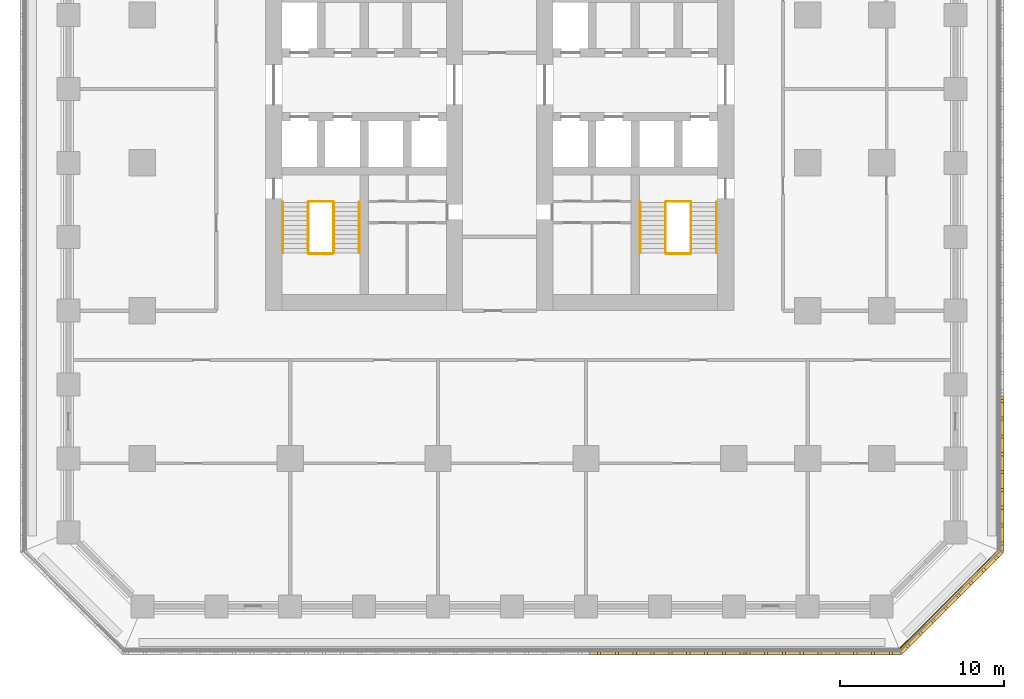
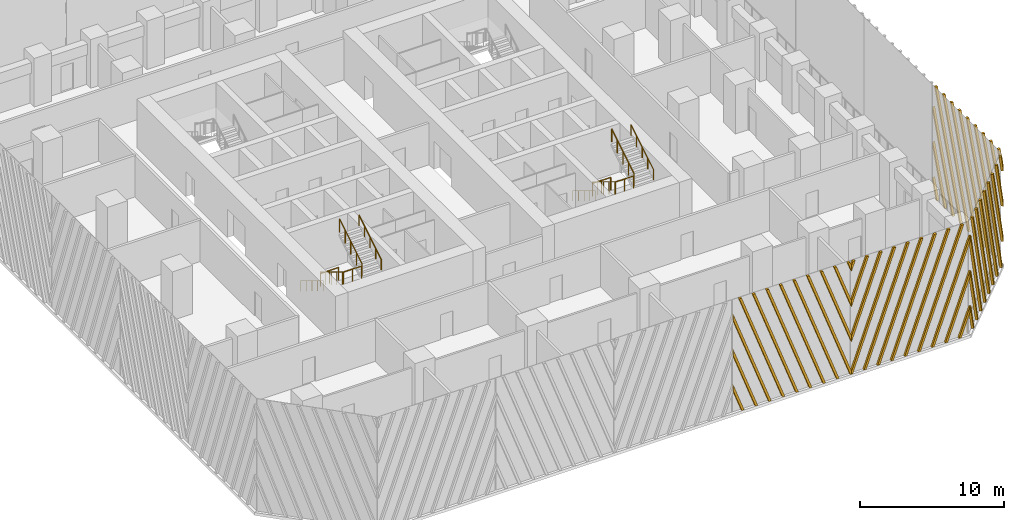
# One storey, part 9 of 13: 13 railings, 4 shading devices.
"""IFC4 building model written with IfcOpenShell, lengths in metres."""

from ifc_helpers import new_model, si_unit, direction, frame, origin, origin_2d, place, context, subcontext, project, spatial, polyline, circle, outline, extrude, source, transform, mapped, material, type_object, element, save


model = new_model("IFC4")

# Units and contexts
model_context = context("Model", 3, precision=1e-05, world=origin(), true_north=direction((0.0, 1.0)))
body_context = subcontext(model_context, "Body", "Model", "MODEL_VIEW")
ifc_project = project(units=[si_unit("LENGTHUNIT", "METRE"), si_unit("AREAUNIT", "SQUARE_METRE"), si_unit("VOLUMEUNIT", "CUBIC_METRE"), si_unit("PLANEANGLEUNIT", "RADIAN"), si_unit("MASSUNIT", "GRAM", prefix="KILO")], contexts=[model_context])

# Site, building, storey
site_placement = place(None, origin())
site = spatial("IfcSite", under=ifc_project, at=site_placement, CompositionType="ELEMENT")
building_placement = place(site_placement, origin())
building = spatial("IfcBuilding", under=site, at=building_placement, Name="Corbel Stack Research Tower", CompositionType="ELEMENT")
storey_placement = place(building_placement, frame((0.0, 0.0, 66.5)))
storey = spatial("IfcBuildingStorey", under=building, at=storey_placement, Name="L15", CompositionType="ELEMENT", Elevation=66.5)

# Railings
ifc_material_1 = material(Name="Steel S355", Category="steel")
railing_type_1 = type_object("IfcRailingType", Name="Stair guard 1100", PredefinedType="GUARDRAIL", material=ifc_material_1)
railing_1_placement = place(storey_placement, frame((-7.89990234375, -2.39990234375, 0.1708984375)))
element("IfcRailing", 1, at=railing_1_placement, inside=storey, type_object=railing_type_1, Name="L15 ST-W1 stair guard 1", PredefinedType="GUARDRAIL", context=body_context, shape_type="SweptSolid", body=[
    extrude(circle(Radius=0.02392578125, at=origin_2d()), frame((0.0, 0.0, 1.076171875), z_axis=(0.0, -0.853666305674, 0.52082035152), x_axis=(1.0, 0.0, 0.0)), (0.0, 0.0, 1.0), 3.608154296875),
    extrude(circle(Radius=0.02099609375, at=origin_2d()), origin(), (0.0, 0.0, 1.0), 1.052001953125),
    extrude(circle(Radius=0.02099609375, at=origin_2d()), frame((0.0, -0.77001953125, 0.4697265625)), (0.0, 0.0, 1.0), 1.052001953125),
    extrude(circle(Radius=0.02099609375, at=origin_2d()), frame((0.0, -1.5400390625, 0.939453125)), (0.0, 0.0, 1.0), 1.052001953125),
    extrude(circle(Radius=0.02099609375, at=origin_2d()), frame((0.0, -2.31005859375, 1.409423828125)), (0.0, 0.0, 1.0), 1.052001953125),
    extrude(circle(Radius=0.02099609375, at=origin_2d()), frame((0.0, -3.080078125, 1.879150390625)), (0.0, 0.0, 1.0), 1.052001953125),
])
railing_2_placement = place(storey_placement, frame((-7.85009765625, -5.530029296875, 2.050048828125)))
element("IfcRailing", 2, at=railing_2_placement, inside=storey, type_object=railing_type_1, Name="L15 ST-W1 stair guard 2", PredefinedType="GUARDRAIL", context=body_context, shape_type="SweptSolid", body=[
    extrude(circle(Radius=0.02392578125, at=origin_2d()), frame((0.0, 0.0, 1.076171875), z_axis=(1.0, 0.0, 0.0), x_axis=(0.0, 1.0, 0.0)), (0.0, 0.0, 1.0), 1.4501953125),
    extrude(circle(Radius=0.02099609375, at=origin_2d()), origin(), (0.0, 0.0, 1.0), 1.052001953125),
    extrude(circle(Radius=0.02099609375, at=origin_2d()), frame((0.72509765625, 0.0, 0.0)), (0.0, 0.0, 1.0), 1.052001953125),
    extrude(circle(Radius=0.02099609375, at=origin_2d()), frame((1.4501953125, 0.0, 0.0)), (0.0, 0.0, 1.0), 1.052001953125),
])
railing_3_placement = place(storey_placement, frame((-6.35009765625, -5.47998046875, 2.220947265625)))
element("IfcRailing", 3, at=railing_3_placement, inside=storey, type_object=railing_type_1, Name="L15 ST-W1 stair guard 3", PredefinedType="GUARDRAIL", context=body_context, shape_type="SweptSolid", body=[
    extrude(circle(Radius=0.02392578125, at=origin_2d()), frame((0.0, 0.0, 1.076171875), z_axis=(0.0, 0.853666305674, 0.52082035152), x_axis=(-1.0, 0.0, 0.0)), (0.0, 0.0, 1.0), 3.608154296875),
    extrude(circle(Radius=0.02099609375, at=origin_2d()), origin(), (0.0, 0.0, 1.0), 1.052001953125),
    extrude(circle(Radius=0.02099609375, at=origin_2d()), frame((0.0, 0.77001953125, 0.4697265625)), (0.0, 0.0, 1.0), 1.052001953125),
    extrude(circle(Radius=0.02099609375, at=origin_2d()), frame((0.0, 1.5400390625, 0.939453125)), (0.0, 0.0, 1.0), 1.052001953125),
    extrude(circle(Radius=0.02099609375, at=origin_2d()), frame((0.0, 2.31005859375, 1.409423828125)), (0.0, 0.0, 1.0), 1.052001953125),
    extrude(circle(Radius=0.02099609375, at=origin_2d()), frame((0.0, 3.080078125, 1.879150390625)), (0.0, 0.0, 1.0), 1.052001953125),
])
railing_4_placement = place(storey_placement, frame((-7.85009765625, -2.35009765625, 0.0)))
element("IfcRailing", 4, at=railing_4_placement, inside=storey, type_object=railing_type_1, Name="L15 ST-W1 stair guard 4", PredefinedType="GUARDRAIL", context=body_context, shape_type="SweptSolid", body=[
    extrude(circle(Radius=0.02392578125, at=origin_2d()), frame((0.0, 0.0, 1.076171875), z_axis=(1.0, 0.0, 0.0), x_axis=(0.0, 1.0, 0.0)), (0.0, 0.0, 1.0), 1.4501953125),
    extrude(circle(Radius=0.02099609375, at=origin_2d()), origin(), (0.0, 0.0, 1.0), 1.052001953125),
    extrude(circle(Radius=0.02099609375, at=origin_2d()), frame((0.72509765625, 0.0, 0.0)), (0.0, 0.0, 1.0), 1.052001953125),
    extrude(circle(Radius=0.02099609375, at=origin_2d()), frame((1.4501953125, 0.0, 0.0)), (0.0, 0.0, 1.0), 1.052001953125),
])
railing_5_placement = place(storey_placement, frame((13.85009765625, -2.39990234375, 0.1708984375)))
element("IfcRailing", 5, at=railing_5_placement, inside=storey, type_object=railing_type_1, Name="L15 ST-E1 stair guard 1", PredefinedType="GUARDRAIL", context=body_context, shape_type="SweptSolid", body=[
    extrude(circle(Radius=0.02392578125, at=origin_2d()), frame((0.0, 0.0, 1.076171875), z_axis=(0.0, -0.853666305674, 0.52082035152), x_axis=(1.0, 0.0, 0.0)), (0.0, 0.0, 1.0), 3.608154296875),
    extrude(circle(Radius=0.02099609375, at=origin_2d()), origin(), (0.0, 0.0, 1.0), 1.052001953125),
    extrude(circle(Radius=0.02099609375, at=origin_2d()), frame((0.0, -0.77001953125, 0.4697265625)), (0.0, 0.0, 1.0), 1.052001953125),
    extrude(circle(Radius=0.02099609375, at=origin_2d()), frame((0.0, -1.5400390625, 0.939453125)), (0.0, 0.0, 1.0), 1.052001953125),
    extrude(circle(Radius=0.02099609375, at=origin_2d()), frame((0.0, -2.31005859375, 1.409423828125)), (0.0, 0.0, 1.0), 1.052001953125),
    extrude(circle(Radius=0.02099609375, at=origin_2d()), frame((0.0, -3.080078125, 1.879150390625)), (0.0, 0.0, 1.0), 1.052001953125),
])
railing_6_placement = place(storey_placement, frame((13.89990234375, -5.530029296875, 2.050048828125)))
element("IfcRailing", 6, at=railing_6_placement, inside=storey, type_object=railing_type_1, Name="L15 ST-E1 stair guard 2", PredefinedType="GUARDRAIL", context=body_context, shape_type="SweptSolid", body=[
    extrude(circle(Radius=0.02392578125, at=origin_2d()), frame((0.0, 0.0, 1.076171875), z_axis=(1.0, 0.0, 0.0), x_axis=(0.0, 1.0, 0.0)), (0.0, 0.0, 1.0), 1.4501953125),
    extrude(circle(Radius=0.02099609375, at=origin_2d()), origin(), (0.0, 0.0, 1.0), 1.052001953125),
    extrude(circle(Radius=0.02099609375, at=origin_2d()), frame((0.72509765625, 0.0, 0.0)), (0.0, 0.0, 1.0), 1.052001953125),
    extrude(circle(Radius=0.02099609375, at=origin_2d()), frame((1.4501953125, 0.0, 0.0)), (0.0, 0.0, 1.0), 1.052001953125),
])
railing_7_placement = place(storey_placement, frame((15.39990234375, -5.47998046875, 2.220947265625)))
element("IfcRailing", 7, at=railing_7_placement, inside=storey, type_object=railing_type_1, Name="L15 ST-E1 stair guard 3", PredefinedType="GUARDRAIL", context=body_context, shape_type="SweptSolid", body=[
    extrude(circle(Radius=0.02392578125, at=origin_2d()), frame((0.0, 0.0, 1.076171875), z_axis=(0.0, 0.853666305674, 0.52082035152), x_axis=(-1.0, 0.0, 0.0)), (0.0, 0.0, 1.0), 3.608154296875),
    extrude(circle(Radius=0.02099609375, at=origin_2d()), origin(), (0.0, 0.0, 1.0), 1.052001953125),
    extrude(circle(Radius=0.02099609375, at=origin_2d()), frame((0.0, 0.77001953125, 0.4697265625)), (0.0, 0.0, 1.0), 1.052001953125),
    extrude(circle(Radius=0.02099609375, at=origin_2d()), frame((0.0, 1.5400390625, 0.939453125)), (0.0, 0.0, 1.0), 1.052001953125),
    extrude(circle(Radius=0.02099609375, at=origin_2d()), frame((0.0, 2.31005859375, 1.409423828125)), (0.0, 0.0, 1.0), 1.052001953125),
    extrude(circle(Radius=0.02099609375, at=origin_2d()), frame((0.0, 3.080078125, 1.879150390625)), (0.0, 0.0, 1.0), 1.052001953125),
])
railing_8_placement = place(storey_placement, frame((13.89990234375, -2.35009765625, 0.0)))
element("IfcRailing", 8, at=railing_8_placement, inside=storey, type_object=railing_type_1, Name="L15 ST-E1 stair guard 4", PredefinedType="GUARDRAIL", context=body_context, shape_type="SweptSolid", body=[
    extrude(circle(Radius=0.02392578125, at=origin_2d()), frame((0.0, 0.0, 1.076171875), z_axis=(1.0, 0.0, 0.0), x_axis=(0.0, 1.0, 0.0)), (0.0, 0.0, 1.0), 1.4501953125),
    extrude(circle(Radius=0.02099609375, at=origin_2d()), origin(), (0.0, 0.0, 1.0), 1.052001953125),
    extrude(circle(Radius=0.02099609375, at=origin_2d()), frame((0.72509765625, 0.0, 0.0)), (0.0, 0.0, 1.0), 1.052001953125),
    extrude(circle(Radius=0.02099609375, at=origin_2d()), frame((1.4501953125, 0.0, 0.0)), (0.0, 0.0, 1.0), 1.052001953125),
])
ifc_material_2 = material(Name="Steel S355", Category="steel")
railing_type_2 = type_object("IfcRailingType", Name="Stair handrail 900", PredefinedType="HANDRAIL", material=ifc_material_2)
railing_9_placement = place(storey_placement, frame((-9.449951171875, -2.39990234375, 0.1708984375)))
element("IfcRailing", 9, at=railing_9_placement, inside=storey, type_object=railing_type_2, Name="L15 ST-W1 stair handrail 1", PredefinedType="HANDRAIL", context=body_context, shape_type="SweptSolid", body=[
    extrude(circle(Radius=0.02392578125, at=origin_2d()), frame((0.0, 0.0, 0.8759765625), z_axis=(0.0, -0.853666305674, 0.52082035152), x_axis=(1.0, 0.0, 0.0)), (0.0, 0.0, 1.0), 3.608154296875),
    extrude(circle(Radius=0.02099609375, at=origin_2d()), origin(), (0.0, 0.0, 1.0), 0.851806640625),
    extrude(circle(Radius=0.02099609375, at=origin_2d()), frame((0.0, -0.77001953125, 0.4697265625)), (0.0, 0.0, 1.0), 0.851806640625),
    extrude(circle(Radius=0.02099609375, at=origin_2d()), frame((0.0, -1.5400390625, 0.939453125)), (0.0, 0.0, 1.0), 0.851806640625),
    extrude(circle(Radius=0.02099609375, at=origin_2d()), frame((0.0, -2.31005859375, 1.409423828125)), (0.0, 0.0, 1.0), 0.851806640625),
    extrude(circle(Radius=0.02099609375, at=origin_2d()), frame((0.0, -3.080078125, 1.879150390625)), (0.0, 0.0, 1.0), 0.851806640625),
])
railing_10_placement = place(storey_placement, frame((-4.800048828125, -5.47998046875, 2.220947265625)))
element("IfcRailing", 10, at=railing_10_placement, inside=storey, type_object=railing_type_2, Name="L15 ST-W1 stair handrail 2", PredefinedType="HANDRAIL", context=body_context, shape_type="SweptSolid", body=[
    extrude(circle(Radius=0.02392578125, at=origin_2d()), frame((0.0, 0.0, 0.8759765625), z_axis=(0.0, 0.853666305674, 0.52082035152), x_axis=(-1.0, 0.0, 0.0)), (0.0, 0.0, 1.0), 3.608154296875),
    extrude(circle(Radius=0.02099609375, at=origin_2d()), origin(), (0.0, 0.0, 1.0), 0.851806640625),
    extrude(circle(Radius=0.02099609375, at=origin_2d()), frame((0.0, 0.77001953125, 0.4697265625)), (0.0, 0.0, 1.0), 0.851806640625),
    extrude(circle(Radius=0.02099609375, at=origin_2d()), frame((0.0, 1.5400390625, 0.939453125)), (0.0, 0.0, 1.0), 0.851806640625),
    extrude(circle(Radius=0.02099609375, at=origin_2d()), frame((0.0, 2.31005859375, 1.409423828125)), (0.0, 0.0, 1.0), 0.851806640625),
    extrude(circle(Radius=0.02099609375, at=origin_2d()), frame((0.0, 3.080078125, 1.879150390625)), (0.0, 0.0, 1.0), 0.851806640625),
])
railing_11_placement = place(storey_placement, frame((12.300048828125, -2.39990234375, 0.1708984375)))
element("IfcRailing", 11, at=railing_11_placement, inside=storey, type_object=railing_type_2, Name="L15 ST-E1 stair handrail 1", PredefinedType="HANDRAIL", context=body_context, shape_type="SweptSolid", body=[
    extrude(circle(Radius=0.02392578125, at=origin_2d()), frame((0.0, 0.0, 0.8759765625), z_axis=(0.0, -0.853666305674, 0.52082035152), x_axis=(1.0, 0.0, 0.0)), (0.0, 0.0, 1.0), 3.608154296875),
    extrude(circle(Radius=0.02099609375, at=origin_2d()), origin(), (0.0, 0.0, 1.0), 0.851806640625),
    extrude(circle(Radius=0.02099609375, at=origin_2d()), frame((0.0, -0.77001953125, 0.4697265625)), (0.0, 0.0, 1.0), 0.851806640625),
    extrude(circle(Radius=0.02099609375, at=origin_2d()), frame((0.0, -1.5400390625, 0.939453125)), (0.0, 0.0, 1.0), 0.851806640625),
    extrude(circle(Radius=0.02099609375, at=origin_2d()), frame((0.0, -2.31005859375, 1.409423828125)), (0.0, 0.0, 1.0), 0.851806640625),
    extrude(circle(Radius=0.02099609375, at=origin_2d()), frame((0.0, -3.080078125, 1.879150390625)), (0.0, 0.0, 1.0), 0.851806640625),
])
railing_12_placement = place(storey_placement, frame((16.949951171875, -5.47998046875, 2.220947265625)))
element("IfcRailing", 12, at=railing_12_placement, inside=storey, type_object=railing_type_2, Name="L15 ST-E1 stair handrail 2", PredefinedType="HANDRAIL", context=body_context, shape_type="SweptSolid", body=[
    extrude(circle(Radius=0.02392578125, at=origin_2d()), frame((0.0, 0.0, 0.8759765625), z_axis=(0.0, 0.853666305674, 0.52082035152), x_axis=(-1.0, 0.0, 0.0)), (0.0, 0.0, 1.0), 3.608154296875),
    extrude(circle(Radius=0.02099609375, at=origin_2d()), origin(), (0.0, 0.0, 1.0), 0.851806640625),
    extrude(circle(Radius=0.02099609375, at=origin_2d()), frame((0.0, 0.77001953125, 0.4697265625)), (0.0, 0.0, 1.0), 0.851806640625),
    extrude(circle(Radius=0.02099609375, at=origin_2d()), frame((0.0, 1.5400390625, 0.939453125)), (0.0, 0.0, 1.0), 0.851806640625),
    extrude(circle(Radius=0.02099609375, at=origin_2d()), frame((0.0, 2.31005859375, 1.409423828125)), (0.0, 0.0, 1.0), 0.851806640625),
    extrude(circle(Radius=0.02099609375, at=origin_2d()), frame((0.0, 3.080078125, 1.879150390625)), (0.0, 0.0, 1.0), 0.851806640625),
])
ifc_material_3 = material(Name="Powder-coated steel guard", Category="steel")
railing_type_3 = type_object("IfcRailingType", Name="Steel and glass guard 1100", PredefinedType="GUARDRAIL", material=ifc_material_3)
railing_13_placement = place(storey_placement, frame((28.127685546875, -29.54931640625, 0.0)))
element("IfcRailing", 13, at=railing_13_placement, inside=storey, type_object=railing_type_3, Name="Loggia guard L15 SE", PredefinedType="GUARDRAIL", context=body_context, shape_type="SweptSolid", body=[
    extrude(circle(Radius=0.02392578125, at=origin_2d()), frame((0.0, 0.0, 1.076171875), z_axis=(0.707106781187, 0.707106781187, 0.0), x_axis=(-0.707106781187, 0.707106781187, 0.0)), (0.0, 0.0, 1.0), 8.37451171875),
    extrude(circle(Radius=0.02099609375, at=origin_2d()), origin(), (0.0, 0.0, 1.0), 1.052001953125),
    extrude(circle(Radius=0.02099609375, at=origin_2d()), frame((0.845947265625, 0.845947265625, 0.0)), (0.0, 0.0, 1.0), 1.052001953125),
    extrude(circle(Radius=0.02099609375, at=origin_2d()), frame((1.69189453125, 1.69189453125, 0.0)), (0.0, 0.0, 1.0), 1.052001953125),
    extrude(circle(Radius=0.02099609375, at=origin_2d()), frame((2.537841796875, 2.537841796875, 0.0)), (0.0, 0.0, 1.0), 1.052001953125),
    extrude(circle(Radius=0.02099609375, at=origin_2d()), frame((3.3837890625, 3.3837890625, 0.0)), (0.0, 0.0, 1.0), 1.052001953125),
    extrude(circle(Radius=0.02099609375, at=origin_2d()), frame((4.229736328125, 4.229736328125, 0.0)), (0.0, 0.0, 1.0), 1.052001953125),
    extrude(circle(Radius=0.02099609375, at=origin_2d()), frame((5.07568359375, 5.07568359375, 0.0)), (0.0, 0.0, 1.0), 1.052001953125),
    extrude(circle(Radius=0.02099609375, at=origin_2d()), frame((5.921630859375, 5.921630859375, 0.0)), (0.0, 0.0, 1.0), 1.052001953125),
])

# Shading devices
ifc_material_4 = material(Name="Precast terracotta", Category="masonry")
shading_device_type = type_object("IfcShadingDeviceType", Name="Terracotta screen panel", PredefinedType="USERDEFINED", material=ifc_material_4)
shared_shape_1 = source(origin(), body_context, "Body", "SweptSolid", [
    extrude(outline(polyline([(0.298583984375, 9.5), (0.108642578125, 9.5), (0.0, 9.201416015625), (0.0, 8.67919921875), (0.298583984375, 9.5)])), frame((0.0, 0.0, 0.0), z_axis=(0.0, -1.0, 0.0), x_axis=(1.0, 0.0, 0.0)), (0.0, 0.0, 1.0), 0.179931640625),
    extrude(outline(polyline([(1.38330078125, 9.5), (1.193359375, 9.5), (0.0, 6.22119140625), (0.0, 5.69921875), (1.38330078125, 9.5)])), frame((0.0, 0.0, 0.0), z_axis=(0.0, -1.0, 0.0), x_axis=(1.0, 0.0, 0.0)), (0.0, 0.0, 1.0), 0.179931640625),
    extrude(outline(polyline([(2.468017578125, 9.5), (2.278076171875, 9.5), (0.0, 3.2412109375), (0.0, 2.718994140625), (2.468017578125, 9.5)])), frame((0.0, 0.0, 0.0), z_axis=(0.0, -1.0, 0.0), x_axis=(1.0, 0.0, 0.0)), (0.0, 0.0, 1.0), 0.179931640625),
    extrude(outline(polyline([(0.094970703125, 0.0), (3.552734375, 9.5), (3.36279296875, 9.5), (0.0, 0.260986328125), (0.0, 0.0), (0.094970703125, 0.0)])), frame((0.0, 0.0, 0.0), z_axis=(0.0, -1.0, 0.0), x_axis=(1.0, 0.0, 0.0)), (0.0, 0.0, 1.0), 0.179931640625),
    extrude(outline(polyline([(1.1796875, 0.0), (4.637451171875, 9.5), (4.447509765625, 9.5), (0.98974609375, 0.0), (1.1796875, 0.0)])), frame((0.0, 0.0, 0.0), z_axis=(0.0, -1.0, 0.0), x_axis=(1.0, 0.0, 0.0)), (0.0, 0.0, 1.0), 0.179931640625),
    extrude(outline(polyline([(2.264404296875, 0.0), (5.721923828125, 9.5), (5.531982421875, 9.5), (2.07421875, 0.0), (2.264404296875, 0.0)])), frame((0.0, 0.0, 0.0), z_axis=(0.0, -1.0, 0.0), x_axis=(1.0, 0.0, 0.0)), (0.0, 0.0, 1.0), 0.179931640625),
    extrude(outline(polyline([(3.34912109375, 0.0), (6.806640625, 9.5), (6.61669921875, 9.5), (3.158935546875, 0.0), (3.34912109375, 0.0)])), frame((0.0, 0.0, 0.0), z_axis=(0.0, -1.0, 0.0), x_axis=(1.0, 0.0, 0.0)), (0.0, 0.0, 1.0), 0.179931640625),
    extrude(outline(polyline([(4.43359375, 0.0), (7.891357421875, 9.5), (7.701416015625, 9.5), (4.24365234375, 0.0), (4.43359375, 0.0)])), frame((0.0, 0.0, 0.0), z_axis=(0.0, -1.0, 0.0), x_axis=(1.0, 0.0, 0.0)), (0.0, 0.0, 1.0), 0.179931640625),
    extrude(outline(polyline([(5.518310546875, 0.0), (8.97607421875, 9.5), (8.785888671875, 9.5), (5.328369140625, 0.0), (5.518310546875, 0.0)])), frame((0.0, 0.0, 0.0), z_axis=(0.0, -1.0, 0.0), x_axis=(1.0, 0.0, 0.0)), (0.0, 0.0, 1.0), 0.179931640625),
    extrude(outline(polyline([(6.60302734375, 0.0), (9.45556640625, 7.837646484375), (9.45556640625, 8.359619140625), (6.4130859375, 0.0), (6.60302734375, 0.0)])), frame((0.0, 0.0, 0.0), z_axis=(0.0, -1.0, 0.0), x_axis=(1.0, 0.0, 0.0)), (0.0, 0.0, 1.0), 0.179931640625),
    extrude(outline(polyline([(7.687744140625, 0.0), (9.45556640625, 4.857421875), (9.45556640625, 5.37939453125), (7.497802734375, 0.0), (7.687744140625, 0.0)])), frame((0.0, 0.0, 0.0), z_axis=(0.0, -1.0, 0.0), x_axis=(1.0, 0.0, 0.0)), (0.0, 0.0, 1.0), 0.179931640625),
    extrude(outline(polyline([(8.772216796875, 0.0), (9.45556640625, 1.87744140625), (9.45556640625, 2.3994140625), (8.582275390625, 0.0), (8.772216796875, 0.0)])), frame((0.0, 0.0, 0.0), z_axis=(0.0, -1.0, 0.0), x_axis=(1.0, 0.0, 0.0)), (0.0, 0.0, 1.0), 0.179931640625),
])
shading_device_1_placement = place(storey_placement, frame((18.68359375, -29.75, 0.0), z_axis=(0.0, 0.0, 1.0), x_axis=(1.0, 0.0, 0.0)))
element("IfcShadingDevice", 14, at=shading_device_1_placement, inside=storey, type_object=shading_device_type, Name="Terracotta screen L15 S5", ObjectType="SCREEN", PredefinedType="USERDEFINED", context=body_context, shape_type="MappedRepresentation", body=[
    mapped(shared_shape_1, transform((0.0, 0.0, 0.0))),
])
shared_shape_2 = source(origin(), body_context, "Body", "SweptSolid", [
    extrude(outline(polyline([(0.873291015625, 0.0), (0.0, 2.3994140625), (0.0, 1.87744140625), (0.683349609375, 0.0), (0.873291015625, 0.0)])), frame((0.0, 0.0, 0.0), z_axis=(0.0, -1.0, 0.0), x_axis=(1.0, 0.0, 0.0)), (0.0, 0.0, 1.0), 0.179931640625),
    extrude(outline(polyline([(1.9580078125, 0.0), (0.0, 5.37939453125), (0.0, 4.857421875), (1.76806640625, 0.0), (1.9580078125, 0.0)])), frame((0.0, 0.0, 0.0), z_axis=(0.0, -1.0, 0.0), x_axis=(1.0, 0.0, 0.0)), (0.0, 0.0, 1.0), 0.179931640625),
    extrude(outline(polyline([(3.04248046875, 0.0), (0.0, 8.359619140625), (0.0, 7.837646484375), (2.8525390625, 0.0), (3.04248046875, 0.0)])), frame((0.0, 0.0, 0.0), z_axis=(0.0, -1.0, 0.0), x_axis=(1.0, 0.0, 0.0)), (0.0, 0.0, 1.0), 0.179931640625),
    extrude(outline(polyline([(4.127197265625, 0.0), (0.669677734375, 9.5), (0.4794921875, 9.5), (3.937255859375, 0.0), (4.127197265625, 0.0)])), frame((0.0, 0.0, 0.0), z_axis=(0.0, -1.0, 0.0), x_axis=(1.0, 0.0, 0.0)), (0.0, 0.0, 1.0), 0.179931640625),
    extrude(outline(polyline([(5.2119140625, 0.0), (1.75439453125, 9.5), (1.564208984375, 9.5), (5.02197265625, 0.0), (5.2119140625, 0.0)])), frame((0.0, 0.0, 0.0), z_axis=(0.0, -1.0, 0.0), x_axis=(1.0, 0.0, 0.0)), (0.0, 0.0, 1.0), 0.179931640625),
    extrude(outline(polyline([(6.296630859375, 0.0), (2.8388671875, 9.5), (2.64892578125, 9.5), (6.106689453125, 0.0), (6.296630859375, 0.0)])), frame((0.0, 0.0, 0.0), z_axis=(0.0, -1.0, 0.0), x_axis=(1.0, 0.0, 0.0)), (0.0, 0.0, 1.0), 0.179931640625),
    extrude(outline(polyline([(7.38134765625, 0.0), (3.923583984375, 9.5), (3.733642578125, 9.5), (7.19140625, 0.0), (7.38134765625, 0.0)])), frame((0.0, 0.0, 0.0), z_axis=(0.0, -1.0, 0.0), x_axis=(1.0, 0.0, 0.0)), (0.0, 0.0, 1.0), 0.179931640625),
    extrude(outline(polyline([(8.466064453125, 0.0), (5.00830078125, 9.5), (4.818359375, 9.5), (8.27587890625, 0.0), (8.466064453125, 0.0)])), frame((0.0, 0.0, 0.0), z_axis=(0.0, -1.0, 0.0), x_axis=(1.0, 0.0, 0.0)), (0.0, 0.0, 1.0), 0.179931640625),
    extrude(outline(polyline([(9.45556640625, 0.0), (9.45556640625, 0.260986328125), (6.093017578125, 9.5), (5.90283203125, 9.5), (9.360595703125, 0.0), (9.45556640625, 0.0)])), frame((0.0, 0.0, 0.0), z_axis=(0.0, -1.0, 0.0), x_axis=(1.0, 0.0, 0.0)), (0.0, 0.0, 1.0), 0.179931640625),
    extrude(outline(polyline([(7.177490234375, 9.5), (6.987548828125, 9.5), (9.45556640625, 2.718994140625), (9.45556640625, 3.2412109375), (7.177490234375, 9.5)])), frame((0.0, 0.0, 0.0), z_axis=(0.0, -1.0, 0.0), x_axis=(1.0, 0.0, 0.0)), (0.0, 0.0, 1.0), 0.179931640625),
    extrude(outline(polyline([(8.26220703125, 9.5), (8.072265625, 9.5), (9.45556640625, 5.69921875), (9.45556640625, 6.22119140625), (8.26220703125, 9.5)])), frame((0.0, 0.0, 0.0), z_axis=(0.0, -1.0, 0.0), x_axis=(1.0, 0.0, 0.0)), (0.0, 0.0, 1.0), 0.179931640625),
    extrude(outline(polyline([(9.346923828125, 9.5), (9.156982421875, 9.5), (9.45556640625, 8.67919921875), (9.45556640625, 9.201416015625), (9.346923828125, 9.5)])), frame((0.0, 0.0, 0.0), z_axis=(0.0, -1.0, 0.0), x_axis=(1.0, 0.0, 0.0)), (0.0, 0.0, 1.0), 0.179931640625),
])
shading_device_2_placement = place(storey_placement, frame((9.227783203125, -29.75, 0.0), z_axis=(0.0, 0.0, 1.0), x_axis=(1.0, 0.0, 0.0)))
element("IfcShadingDevice", 15, at=shading_device_2_placement, inside=storey, type_object=shading_device_type, Name="Terracotta screen L15 S4", ObjectType="SCREEN", PredefinedType="USERDEFINED", context=body_context, shape_type="MappedRepresentation", body=[
    mapped(shared_shape_2, transform((0.0, 0.0, 0.0))),
])
shared_shape_3 = source(origin(), body_context, "Body", "SweptSolid", [
    extrude(outline(polyline([(0.873291015625, 0.0), (0.0, 2.3994140625), (0.0, 1.87744140625), (0.683349609375, 0.0), (0.873291015625, 0.0)])), frame((0.0, 0.0, 0.0), z_axis=(0.0, -1.0, 0.0), x_axis=(1.0, 0.0, 0.0)), (0.0, 0.0, 1.0), 0.179931640625),
    extrude(outline(polyline([(1.9580078125, 0.0), (0.0, 5.37939453125), (0.0, 4.857421875), (1.76806640625, 0.0), (1.9580078125, 0.0)])), frame((0.0, 0.0, 0.0), z_axis=(0.0, -1.0, 0.0), x_axis=(1.0, 0.0, 0.0)), (0.0, 0.0, 1.0), 0.179931640625),
    extrude(outline(polyline([(3.04248046875, 0.0), (0.0, 8.359619140625), (0.0, 7.837646484375), (2.8525390625, 0.0), (3.04248046875, 0.0)])), frame((0.0, 0.0, 0.0), z_axis=(0.0, -1.0, 0.0), x_axis=(1.0, 0.0, 0.0)), (0.0, 0.0, 1.0), 0.179931640625),
    extrude(outline(polyline([(4.127197265625, 0.0), (0.669677734375, 9.5), (0.4794921875, 9.5), (3.937255859375, 0.0), (4.127197265625, 0.0)])), frame((0.0, 0.0, 0.0), z_axis=(0.0, -1.0, 0.0), x_axis=(1.0, 0.0, 0.0)), (0.0, 0.0, 1.0), 0.179931640625),
    extrude(outline(polyline([(5.2119140625, 0.0), (1.75439453125, 9.5), (1.564208984375, 9.5), (5.02197265625, 0.0), (5.2119140625, 0.0)])), frame((0.0, 0.0, 0.0), z_axis=(0.0, -1.0, 0.0), x_axis=(1.0, 0.0, 0.0)), (0.0, 0.0, 1.0), 0.179931640625),
    extrude(outline(polyline([(6.296630859375, 0.0), (2.8388671875, 9.5), (2.64892578125, 9.5), (6.106689453125, 0.0), (6.296630859375, 0.0)])), frame((0.0, 0.0, 0.0), z_axis=(0.0, -1.0, 0.0), x_axis=(1.0, 0.0, 0.0)), (0.0, 0.0, 1.0), 0.179931640625),
    extrude(outline(polyline([(7.38134765625, 0.0), (3.923583984375, 9.5), (3.733642578125, 9.5), (7.19140625, 0.0), (7.38134765625, 0.0)])), frame((0.0, 0.0, 0.0), z_axis=(0.0, -1.0, 0.0), x_axis=(1.0, 0.0, 0.0)), (0.0, 0.0, 1.0), 0.179931640625),
    extrude(outline(polyline([(8.466064453125, 0.0), (5.00830078125, 9.5), (4.818359375, 9.5), (8.27587890625, 0.0), (8.466064453125, 0.0)])), frame((0.0, 0.0, 0.0), z_axis=(0.0, -1.0, 0.0), x_axis=(1.0, 0.0, 0.0)), (0.0, 0.0, 1.0), 0.179931640625),
    extrude(outline(polyline([(6.093017578125, 9.5), (5.90283203125, 9.5), (8.64208984375, 1.97412109375), (8.64208984375, 2.49609375), (6.093017578125, 9.5)])), frame((0.0, 0.0, 0.0), z_axis=(0.0, -1.0, 0.0), x_axis=(1.0, 0.0, 0.0)), (0.0, 0.0, 1.0), 0.179931640625),
    extrude(outline(polyline([(7.177490234375, 9.5), (6.987548828125, 9.5), (8.64208984375, 4.9541015625), (8.64208984375, 5.476318359375), (7.177490234375, 9.5)])), frame((0.0, 0.0, 0.0), z_axis=(0.0, -1.0, 0.0), x_axis=(1.0, 0.0, 0.0)), (0.0, 0.0, 1.0), 0.179931640625),
    extrude(outline(polyline([(8.26220703125, 9.5), (8.072265625, 9.5), (8.64208984375, 7.93408203125), (8.64208984375, 8.456298828125), (8.26220703125, 9.5)])), frame((0.0, 0.0, 0.0), z_axis=(0.0, -1.0, 0.0), x_axis=(1.0, 0.0, 0.0)), (0.0, 0.0, 1.0), 0.179931640625),
])
shading_device_3_placement = place(storey_placement, frame((28.13916015625, -29.75, 0.0), z_axis=(0.0, 0.0, 1.0), x_axis=(0.707106781187, 0.707106781187, 0.0)))
element("IfcShadingDevice", 16, at=shading_device_3_placement, inside=storey, type_object=shading_device_type, Name="Terracotta screen L15 SE1", ObjectType="SCREEN", PredefinedType="USERDEFINED", context=body_context, shape_type="MappedRepresentation", body=[
    mapped(shared_shape_3, transform((0.0, 0.0, 0.0))),
])
shared_shape_4 = source(origin(), body_context, "Body", "SweptSolid", [
    extrude(outline(polyline([(0.56982421875, 9.5), (0.3798828125, 9.5), (0.0, 8.456298828125), (0.0, 7.93408203125), (0.56982421875, 9.5)])), frame((0.0, 0.0, 0.0), z_axis=(0.0, -1.0, 0.0), x_axis=(1.0, 0.0, 0.0)), (0.0, 0.0, 1.0), 0.179931640625),
    extrude(outline(polyline([(1.654541015625, 9.5), (1.464599609375, 9.5), (0.0, 5.476318359375), (0.0, 4.9541015625), (1.654541015625, 9.5)])), frame((0.0, 0.0, 0.0), z_axis=(0.0, -1.0, 0.0), x_axis=(1.0, 0.0, 0.0)), (0.0, 0.0, 1.0), 0.179931640625),
    extrude(outline(polyline([(2.7392578125, 9.5), (2.54931640625, 9.5), (0.0, 2.49609375), (0.0, 1.97412109375), (2.7392578125, 9.5)])), frame((0.0, 0.0, 0.0), z_axis=(0.0, -1.0, 0.0), x_axis=(1.0, 0.0, 0.0)), (0.0, 0.0, 1.0), 0.179931640625),
    extrude(outline(polyline([(0.3662109375, 0.0), (3.823974609375, 9.5), (3.6337890625, 9.5), (0.17626953125, 0.0), (0.3662109375, 0.0)])), frame((0.0, 0.0, 0.0), z_axis=(0.0, -1.0, 0.0), x_axis=(1.0, 0.0, 0.0)), (0.0, 0.0, 1.0), 0.179931640625),
    extrude(outline(polyline([(1.45068359375, 0.0), (4.908447265625, 9.5), (4.718505859375, 9.5), (1.2607421875, 0.0), (1.45068359375, 0.0)])), frame((0.0, 0.0, 0.0), z_axis=(0.0, -1.0, 0.0), x_axis=(1.0, 0.0, 0.0)), (0.0, 0.0, 1.0), 0.179931640625),
    extrude(outline(polyline([(2.535400390625, 0.0), (5.9931640625, 9.5), (5.80322265625, 9.5), (2.345458984375, 0.0), (2.535400390625, 0.0)])), frame((0.0, 0.0, 0.0), z_axis=(0.0, -1.0, 0.0), x_axis=(1.0, 0.0, 0.0)), (0.0, 0.0, 1.0), 0.179931640625),
    extrude(outline(polyline([(3.6201171875, 0.0), (7.077880859375, 9.5), (6.887939453125, 9.5), (3.43017578125, 0.0), (3.6201171875, 0.0)])), frame((0.0, 0.0, 0.0), z_axis=(0.0, -1.0, 0.0), x_axis=(1.0, 0.0, 0.0)), (0.0, 0.0, 1.0), 0.179931640625),
    extrude(outline(polyline([(4.704833984375, 0.0), (8.16259765625, 9.5), (7.972412109375, 9.5), (4.514892578125, 0.0), (4.704833984375, 0.0)])), frame((0.0, 0.0, 0.0), z_axis=(0.0, -1.0, 0.0), x_axis=(1.0, 0.0, 0.0)), (0.0, 0.0, 1.0), 0.179931640625),
    extrude(outline(polyline([(5.78955078125, 0.0), (9.247314453125, 9.5), (9.05712890625, 9.5), (5.599609375, 0.0), (5.78955078125, 0.0)])), frame((0.0, 0.0, 0.0), z_axis=(0.0, -1.0, 0.0), x_axis=(1.0, 0.0, 0.0)), (0.0, 0.0, 1.0), 0.179931640625),
    extrude(outline(polyline([(6.874267578125, 0.0), (9.45556640625, 7.092529296875), (9.45556640625, 7.614501953125), (6.68408203125, 0.0), (6.874267578125, 0.0)])), frame((0.0, 0.0, 0.0), z_axis=(0.0, -1.0, 0.0), x_axis=(1.0, 0.0, 0.0)), (0.0, 0.0, 1.0), 0.179931640625),
    extrude(outline(polyline([(7.958740234375, 0.0), (9.45556640625, 4.1123046875), (9.45556640625, 4.634521484375), (7.768798828125, 0.0), (7.958740234375, 0.0)])), frame((0.0, 0.0, 0.0), z_axis=(0.0, -1.0, 0.0), x_axis=(1.0, 0.0, 0.0)), (0.0, 0.0, 1.0), 0.179931640625),
    extrude(outline(polyline([(9.04345703125, 0.0), (9.45556640625, 1.13232421875), (9.45556640625, 1.654296875), (8.853515625, 0.0), (9.04345703125, 0.0)])), frame((0.0, 0.0, 0.0), z_axis=(0.0, -1.0, 0.0), x_axis=(1.0, 0.0, 0.0)), (0.0, 0.0, 1.0), 0.179931640625),
])
shading_device_4_placement = place(storey_placement, frame((34.25, -23.63916015625, 0.0), z_axis=(0.0, 0.0, 1.0), x_axis=(0.0, 1.0, 0.0)))
element("IfcShadingDevice", 17, at=shading_device_4_placement, inside=storey, type_object=shading_device_type, Name="Terracotta screen L15 E1", ObjectType="SCREEN", PredefinedType="USERDEFINED", context=body_context, shape_type="MappedRepresentation", body=[
    mapped(shared_shape_4, transform((0.0, 0.0, 0.0))),
])

save(model, "model.ifc")
